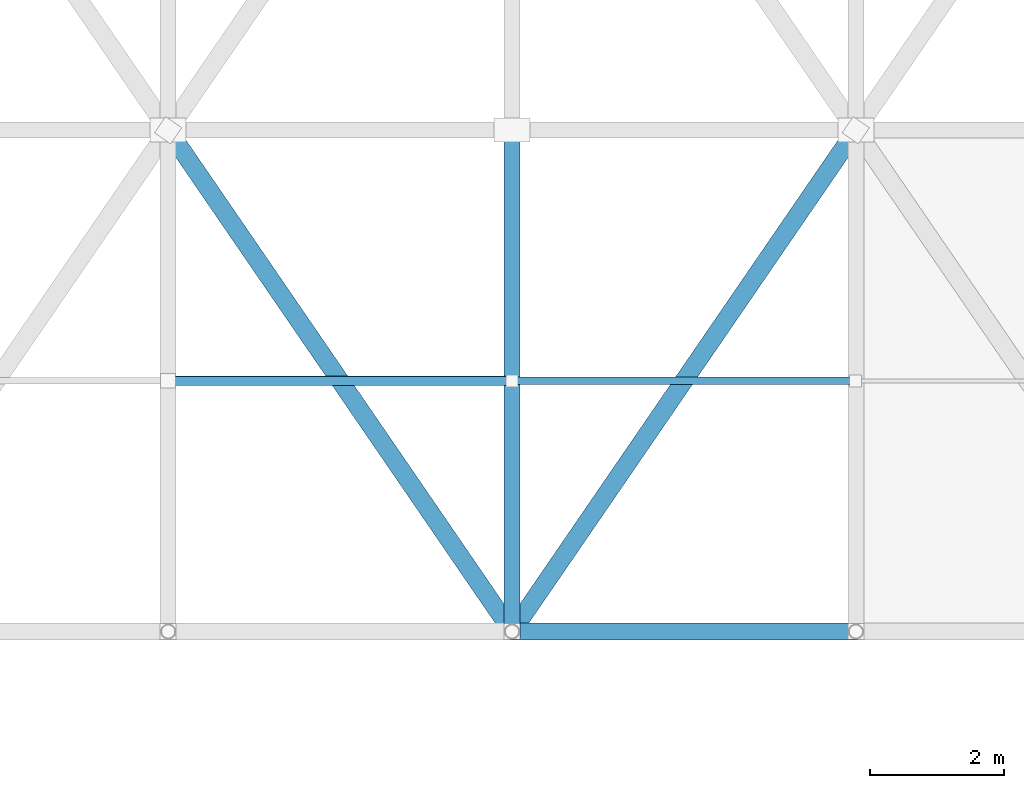
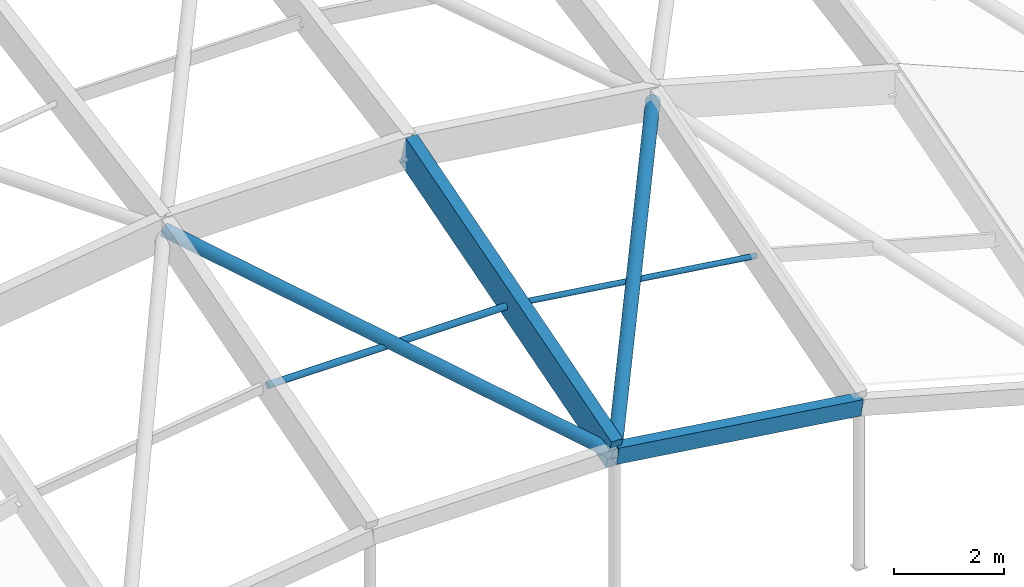
# One storey, part 38 of 81: 6 members.
"""IFC4 building model written with IfcOpenShell, lengths in metres."""

from ifc_helpers import new_model, si_unit, direction, frame, origin, origin_2d, place, context, subcontext, project, spatial, rectangle, hollow_rectangle, hollow_circle, extrude, material, material_profile, profile_set, type_object, element, save


model = new_model("IFC4")

# Units and contexts
model_context = context("Model", 3, precision=1e-05, world=origin(), true_north=direction((0.0, 1.0)))
body_context = subcontext(model_context, "Body", "Model", "MODEL_VIEW")
ifc_project = project(units=[si_unit("LENGTHUNIT", "METRE"), si_unit("AREAUNIT", "SQUARE_METRE"), si_unit("VOLUMEUNIT", "CUBIC_METRE"), si_unit("PLANEANGLEUNIT", "RADIAN"), si_unit("MASSUNIT", "GRAM", prefix="KILO")], contexts=[model_context])

# Site, building, storey
site_placement = place(None, origin())
site = spatial("IfcSite", under=ifc_project, at=site_placement, CompositionType="ELEMENT")
building_placement = place(site_placement, origin())
building = spatial("IfcBuilding", under=site, at=building_placement, Name="Marnridge Secondary College", CompositionType="ELEMENT")
storey_placement = place(building_placement, frame((0.0, 0.0, 8.5)))
storey = spatial("IfcBuildingStorey", under=building, at=storey_placement, Name="L02", CompositionType="ELEMENT", Elevation=8.5)

# Members
ifc_material_1 = material(Name="Cold-formed steel Grade C350L0 (AS/NZS 1163, fy = 350 MPa)", Category="steel")
ifc_material_profile_1 = material_profile(ifc_material_1, hollow_circle(Radius=0.136474609375, WallThickness=0.00927734375, at=origin_2d()), Name="273.1x9.3CHS")
ifc_profile_set_1 = profile_set([ifc_material_profile_1], Name="Cold-formed steel Grade C350L0 (AS/NZS 1163, fy = 350 MPa)")
member_type_1 = type_object("IfcMemberType", Name="MB-GS-CHS273", PredefinedType="BRACE", material=ifc_profile_set_1)
member_1_placement = place(storey_placement, frame((155.5712890625, 75.0, 4.41015625), z_axis=(-0.549343807116, 0.801169851624, 0.237377864241), x_axis=(-0.824743162089, -0.565507485881, 0.0)))
element("IfcMember", 1, at=member_1_placement, inside=storey, type_object=member_type_1, Name="Gridshell member GR-0116", PredefinedType="BRACE", context=body_context, shape_type="SweptSolid", body=[
    extrude(hollow_circle(Radius=0.136474609375, WallThickness=0.00927734375, at=origin_2d()), origin(), (0.0, 0.0, 1.0), 9.361328125),
])
member_2_placement = place(storey_placement, frame((155.5712890625, 75.0, 4.41015625), z_axis=(0.557965767558, 0.813666969495, 0.163157178779), x_axis=(-0.824718119143, 0.565544007092, 0.0)))
element("IfcMember", 2, at=member_2_placement, inside=storey, type_object=member_type_1, Name="Gridshell member GR-0122", PredefinedType="BRACE", context=body_context, shape_type="SweptSolid", body=[
    extrude(hollow_circle(Radius=0.136474609375, WallThickness=0.00927734375, at=origin_2d()), origin(), (0.0, 0.0, 1.0), 9.217529296875),
])
ifc_material_2 = material(Name="Glulam timber GL18", Category="wood")
ifc_material_profile_2 = material_profile(ifc_material_2, rectangle(XDim=0.239990234375, YDim=0.719970703125, at=origin_2d()), Name="GL18 240x720")
ifc_profile_set_2 = profile_set([ifc_material_profile_2], Name="Glulam timber GL18")
member_type_2 = type_object("IfcMemberType", Name="MB-GS-GL720", PredefinedType="CHORD", material=ifc_profile_set_2)
member_3_placement = place(storey_placement, frame((155.5712890625, 75.0, 4.41015625), z_axis=(0.0, 0.958800001874, 0.28408195368), x_axis=(-1.0, 0.0, 0.0)))
element("IfcMember", 3, at=member_3_placement, inside=storey, type_object=member_type_2, Name="Gridshell member GR-0025", PredefinedType="CHORD", context=body_context, shape_type="SweptSolid", body=[
    extrude(rectangle(XDim=0.239990234375, YDim=0.719970703125, at=origin_2d()), origin(), (0.0, 0.0, 1.0), 7.822265625),
])
ifc_material_3 = material(Name="Cold-formed steel Grade C350L0 (AS/NZS 1163, fy = 350 MPa)", Category="steel")
ifc_material_profile_3 = material_profile(ifc_material_3, hollow_rectangle(XDim=0.25, YDim=0.35009765625, WallThickness=0.010009765625, at=origin_2d()), Name="350x250x10.0RHS")
ifc_profile_set_3 = profile_set([ifc_material_profile_3], Name="Cold-formed steel Grade C350L0 (AS/NZS 1163, fy = 350 MPa)")
member_type_3 = type_object("IfcMemberType", Name="MB-GS-RHS350", PredefinedType="CHORD", material=ifc_profile_set_3)
member_4_placement = place(storey_placement, frame((155.5712890625, 75.0, 4.41015625), z_axis=(0.990388427346, 0.0, -0.138314001389), x_axis=(0.0, 1.0, 0.0)))
element("IfcMember", 4, at=member_4_placement, inside=storey, type_object=member_type_3, Name="Gridshell member GR-0053", PredefinedType="CHORD", context=body_context, shape_type="SweptSolid", body=[
    extrude(hollow_rectangle(XDim=0.25, YDim=0.35009765625, WallThickness=0.010009765625, at=origin_2d()), origin(), (0.0, 0.0, 1.0), 5.19287109375),
])
ifc_material_4 = material(Name="Cold-formed steel Grade C350L0 (AS/NZS 1163, fy = 350 MPa)", Category="steel")
ifc_material_profile_4 = material_profile(ifc_material_4, hollow_circle(Radius=0.05712890625, WallThickness=0.00439453125, at=origin_2d()), Name="114.3x4.5CHS")
ifc_profile_set_4 = profile_set([ifc_material_profile_4], Name="Cold-formed steel Grade C350L0 (AS/NZS 1163, fy = 350 MPa)")
member_type_4 = type_object("IfcMemberType", Name="MB-PR-CHS114", PredefinedType="PURLIN", material=ifc_profile_set_4)
member_5_placement = place(storey_placement, frame((155.5712890625, 78.75, 5.44140625), z_axis=(0.990381986176, 0.0, -0.138360115129), x_axis=(0.0, 1.0, 0.0)))
element("IfcMember", 5, at=member_5_placement, inside=storey, type_object=member_type_4, Name="Gridshell purlin PR-0047", PredefinedType="PURLIN", context=body_context, shape_type="SweptSolid", body=[
    extrude(hollow_circle(Radius=0.05712890625, WallThickness=0.00439453125, at=origin_2d()), origin(), (0.0, 0.0, 1.0), 5.193115234375),
])
ifc_material_5 = material(Name="Cold-formed steel Grade C350L0 (AS/NZS 1163, fy = 350 MPa)", Category="steel")
ifc_material_profile_5 = material_profile(ifc_material_5, hollow_circle(Radius=0.06982421875, WallThickness=0.00537109375, at=origin_2d()), Name="139.7x5.4CHS")
ifc_profile_set_5 = profile_set([ifc_material_profile_5], Name="Cold-formed steel Grade C350L0 (AS/NZS 1163, fy = 350 MPa)")
member_type_5 = type_object("IfcMemberType", Name="MB-PR-CHS139", PredefinedType="PURLIN", material=ifc_profile_set_5)
member_6_placement = place(storey_placement, frame((150.4287109375, 78.75, 5.44140625), z_axis=(1.0, 0.0, 0.0), x_axis=(0.0, 1.0, 0.0)))
element("IfcMember", 6, at=member_6_placement, inside=storey, type_object=member_type_5, Name="Gridshell purlin PR-0041", PredefinedType="PURLIN", context=body_context, shape_type="SweptSolid", body=[
    extrude(hollow_circle(Radius=0.06982421875, WallThickness=0.00537109375, at=origin_2d()), origin(), (0.0, 0.0, 1.0), 5.142578125),
])

save(model, "model.ifc")
